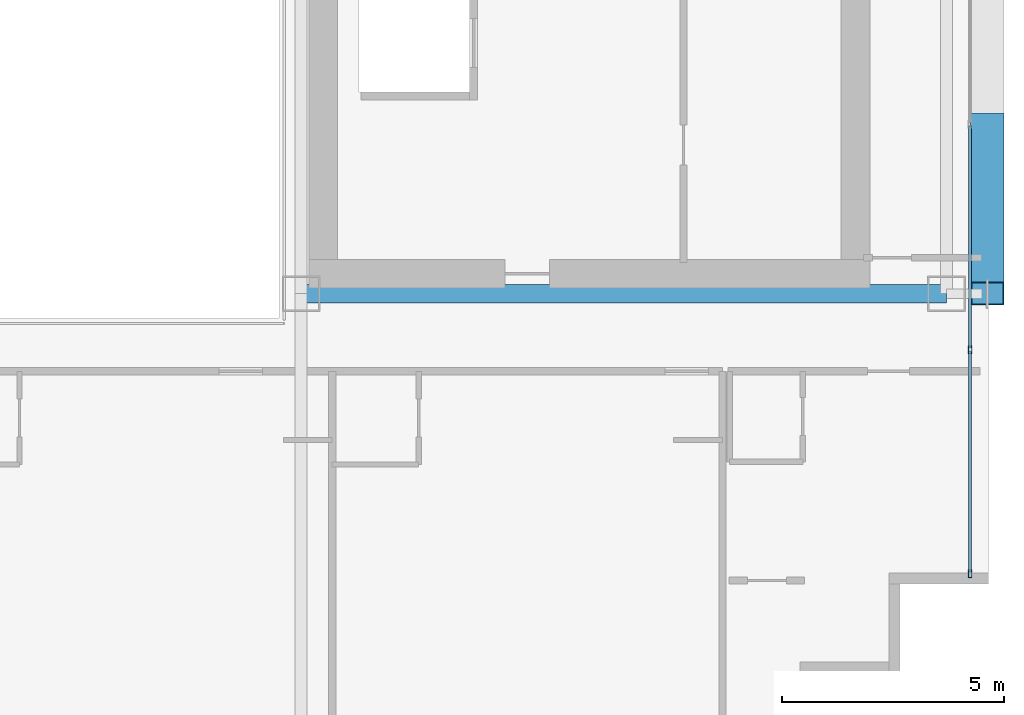
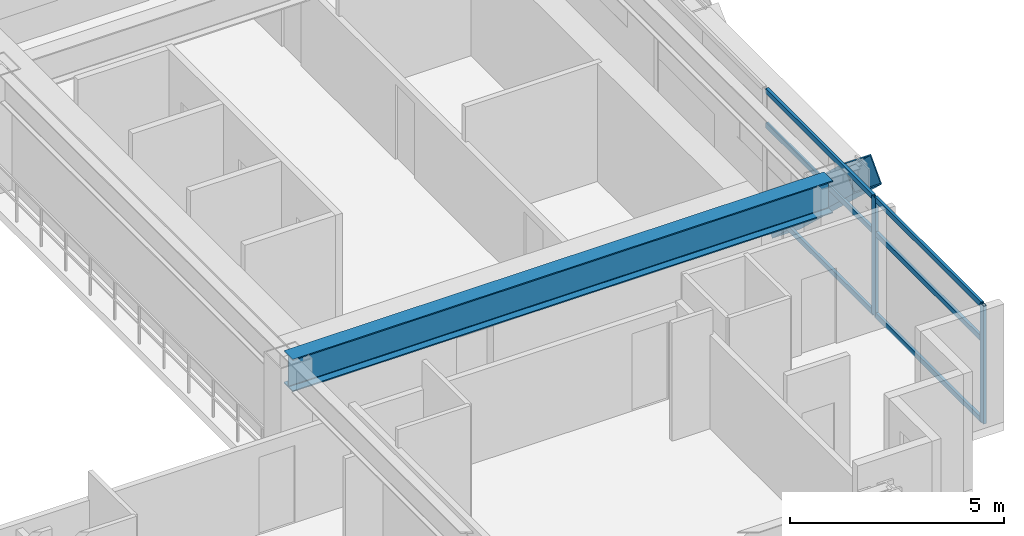
# One storey, part 11 of 35: 9 members, 1 beam, 1 element without a shape of its own.
"""IFC4 building model written with IfcOpenShell, lengths in metres."""

from ifc_helpers import new_model, si_unit, direction, frame, origin, origin_2d, place, context, subcontext, project, spatial, hollow_rectangle, i_section, extrude, source, transform, mapped, material, layer, layer_set, material_profile, profile_set, type_object, element, aggregate, save


model = new_model("IFC4")

# Units and contexts
model_context = context("Model", 3, precision=1e-05, world=origin(), true_north=direction((0.0, 1.0)))
body_context = subcontext(model_context, "Body", "Model", "MODEL_VIEW")
ifc_project = project(units=[si_unit("LENGTHUNIT", "METRE"), si_unit("AREAUNIT", "SQUARE_METRE"), si_unit("VOLUMEUNIT", "CUBIC_METRE"), si_unit("PLANEANGLEUNIT", "RADIAN"), si_unit("MASSUNIT", "GRAM", prefix="KILO")], contexts=[model_context])

# Site, building, storey
site_placement = place(None, origin())
site = spatial("IfcSite", under=ifc_project, at=site_placement, CompositionType="ELEMENT")
building_placement = place(site_placement, origin())
building = spatial("IfcBuilding", under=site, at=building_placement, Name="Ocotamira Hotel", CompositionType="ELEMENT")
storey_placement = place(building_placement, frame((0.0, 0.0, 115.199951171875)))
storey = spatial("IfcBuildingStorey", under=building, at=storey_placement, Name="L28", CompositionType="ELEMENT", Elevation=115.199951171875)

# Beam
ifc_material_1 = material(Name="Steel ASTM A992 Grade 50", Category="steel")
ifc_material_profile_1 = material_profile(ifc_material_1, i_section(OverallWidth=0.41796875, OverallDepth=0.927001953125, WebThickness=0.019287109375, FlangeThickness=0.031982421875, FilletRadius=0.02392578125, at=origin_2d()), Name="W36X231")
ifc_profile_set_1 = profile_set([ifc_material_profile_1], Name="Steel ASTM A992 Grade 50")
beam_type = type_object("IfcBeamType", Name="BM-GIRD-W36X231", PredefinedType="BEAM", material=ifc_profile_set_1)
shared_shape_1 = source(origin(), body_context, "Body", "SweptSolid", [
    extrude(i_section(OverallWidth=0.41796875, OverallDepth=0.927001953125, WebThickness=0.019287109375, FlangeThickness=0.031982421875, FilletRadius=0.02392578125, at=origin_2d()), origin(), (0.0, 0.0, 1.0), 14.550048828125),
])
beam_placement = place(storey_placement, frame((40.5, 14.550048828125, 2.896484375), z_axis=(1.0, 0.0, 0.0), x_axis=(0.0, 1.0, 0.0)))
element("IfcBeam", 1, at=beam_placement, inside=storey, type_object=beam_type, Name="L28 Girder Y14.55 X40.5-55.05", PredefinedType="BEAM", context=body_context, shape_type="MappedRepresentation", body=[
    mapped(shared_shape_1, transform((0.0, 0.0, 0.0), scale=1.0)),
])

# Member
ifc_material_2 = material(Name="Pale-metal coated steel ASTM A913 Grade 65", Category="steel")
ifc_material_profile_2 = material_profile(ifc_material_2, hollow_rectangle(XDim=0.75, YDim=0.75, WallThickness=0.028076171875, at=origin_2d()), Name="BOX750X750X28")
ifc_profile_set_2 = profile_set([ifc_material_profile_2], Name="Pale-metal coated steel ASTM A913 Grade 65")
member_type_1 = type_object("IfcMemberType", Name="MEM-EXO-BOX750", PredefinedType="BRACE", material=ifc_profile_set_2)
shared_shape_2 = source(origin(), body_context, "Body", "SweptSolid", [
    extrude(hollow_rectangle(XDim=0.75, YDim=0.75, WallThickness=0.028076171875, at=origin_2d()), origin(), (0.0, 0.0, 1.0), 5.24658203125),
])
member_1_placement = place(storey_placement, frame((55.969970703125, 18.36669921875, -0.489990234375), z_axis=(0.0, -0.727442733726, 0.686168397078), x_axis=(1.0, 0.0, 0.0)))
element("IfcMember", 2, at=member_1_placement, inside=storey, type_object=member_type_1, Name="L28 Exoskeleton Diagrid E0.1", PredefinedType="BRACE", context=body_context, shape_type="MappedRepresentation", body=[
    mapped(shared_shape_2, transform((0.0, 0.0, 0.0), scale=1.0)),
])

# Curtain wall, members
ifc_material_3 = material(Name="Anodised pale-metal aluminium and solar glass", Category="aluminium")
ifc_layer = layer(ifc_material_3, 0.179931640625)
ifc_layer_set = layer_set([ifc_layer], Name="Anodised pale-metal aluminium and solar glass")
curtain_wall_type = type_object("IfcCurtainWallType", Name="CW-SYS3-Z2", PredefinedType="NOTDEFINED", material=ifc_layer_set)
curtain_wall_placement = place(storey_placement, origin())
curtain_wall = element("IfcCurtainWall", 3, at=curtain_wall_placement, inside=storey, type_object=curtain_wall_type, Name="L28 Curtain Wall CW-3 CW-L28-E", PredefinedType="NOTDEFINED")
ifc_material_4 = material(Name="Anodised pale-metal aluminium 6063-T6", Category="aluminium")
ifc_material_profile_3 = material_profile(ifc_material_4, hollow_rectangle(XDim=0.074951171875, YDim=0.14990234375, WallThickness=0.006103515625, at=origin_2d()), Name="HSS150X75X6")
ifc_profile_set_3 = profile_set([ifc_material_profile_3], Name="Anodised pale-metal aluminium 6063-T6")
member_type_2 = type_object("IfcMemberType", Name="CWT-150X75", PredefinedType="USERDEFINED", material=ifc_profile_set_3)
shared_shape_3 = source(origin(), body_context, "Body", "SweptSolid", [
    extrude(hollow_rectangle(XDim=0.074951171875, YDim=0.14990234375, WallThickness=0.006103515625, at=origin_2d()), origin(), (0.0, 0.0, 1.0), 4.965576171875),
])
member_2_placement = place(storey_placement, frame((55.580078125, 8.280029296875, 0.03759765625), z_axis=(0.0, 1.0, 0.0), x_axis=(-1.0, 0.0, 0.0)))
member_2 = element("IfcMember", 4, at=member_2_placement, type_object=member_type_2, Name="CW-3 transom 1.1", ObjectType="TRANSOM", PredefinedType="USERDEFINED", context=body_context, shape_type="MappedRepresentation", body=[
    mapped(shared_shape_3, transform((0.0, 0.0, 0.0), scale=1.0)),
])
member_3_placement = place(storey_placement, frame((55.580078125, 8.280029296875, 2.35009765625), z_axis=(0.0, 1.0, 0.0), x_axis=(-1.0, 0.0, 0.0)))
member_3 = element("IfcMember", 5, at=member_3_placement, type_object=member_type_2, Name="CW-3 transom 1.2", ObjectType="TRANSOM", PredefinedType="USERDEFINED", context=body_context, shape_type="MappedRepresentation", body=[
    mapped(shared_shape_3, transform((0.0, 0.0, 0.0), scale=1.0)),
])
member_4_placement = place(storey_placement, frame((55.580078125, 8.280029296875, 3.322509765625), z_axis=(0.0, 1.0, 0.0), x_axis=(-1.0, 0.0, 0.0)))
member_4 = element("IfcMember", 6, at=member_4_placement, type_object=member_type_2, Name="CW-3 transom 1.3", ObjectType="TRANSOM", PredefinedType="USERDEFINED", context=body_context, shape_type="MappedRepresentation", body=[
    mapped(shared_shape_3, transform((0.0, 0.0, 0.0), scale=1.0)),
])
shared_shape_4 = source(origin(), body_context, "Body", "SweptSolid", [
    extrude(hollow_rectangle(XDim=0.074951171875, YDim=0.14990234375, WallThickness=0.006103515625, at=origin_2d()), origin(), (0.0, 0.0, 1.0), 5.005859375),
])
member_5_placement = place(storey_placement, frame((55.580078125, 13.32568359375, 0.03759765625), z_axis=(0.0, 1.0, 0.0), x_axis=(-1.0, 0.0, 0.0)))
member_5 = element("IfcMember", 7, at=member_5_placement, type_object=member_type_2, Name="CW-3 transom 2.1", ObjectType="TRANSOM", PredefinedType="USERDEFINED", context=body_context, shape_type="MappedRepresentation", body=[
    mapped(shared_shape_4, transform((0.0, 0.0, 0.0), scale=1.0)),
])
member_6_placement = place(storey_placement, frame((55.580078125, 13.32568359375, 2.35009765625), z_axis=(0.0, 1.0, 0.0), x_axis=(-1.0, 0.0, 0.0)))
member_6 = element("IfcMember", 8, at=member_6_placement, type_object=member_type_2, Name="CW-3 transom 2.2", ObjectType="TRANSOM", PredefinedType="USERDEFINED", context=body_context, shape_type="MappedRepresentation", body=[
    mapped(shared_shape_4, transform((0.0, 0.0, 0.0), scale=1.0)),
])
member_7_placement = place(storey_placement, frame((55.580078125, 13.32568359375, 3.322509765625), z_axis=(0.0, 1.0, 0.0), x_axis=(-1.0, 0.0, 0.0)))
member_7 = element("IfcMember", 9, at=member_7_placement, type_object=member_type_2, Name="CW-3 transom 2.3", ObjectType="TRANSOM", PredefinedType="USERDEFINED", context=body_context, shape_type="MappedRepresentation", body=[
    mapped(shared_shape_4, transform((0.0, 0.0, 0.0), scale=1.0)),
])
ifc_material_profile_4 = material_profile(ifc_material_4, hollow_rectangle(XDim=0.080078125, YDim=0.179931640625, WallThickness=0.006103515625, at=origin_2d()), Name="HSS180X80X6")
ifc_profile_set_4 = profile_set([ifc_material_profile_4], Name="Anodised pale-metal aluminium 6063-T6")
member_type_3 = type_object("IfcMemberType", Name="CWM-180X75", PredefinedType="MULLION", material=ifc_profile_set_4)
shared_shape_5 = source(origin(), body_context, "Body", "SweptSolid", [
    extrude(hollow_rectangle(XDim=0.080078125, YDim=0.179931640625, WallThickness=0.006103515625, at=origin_2d()), origin(), (0.0, 0.0, 1.0), 3.360107421875),
])
member_8_placement = place(storey_placement, frame((55.580078125, 8.239990234375, 0.0), z_axis=(0.0, 0.0, 1.0), x_axis=(-1.0, 0.0, 0.0)))
member_8 = element("IfcMember", 10, at=member_8_placement, type_object=member_type_3, Name="CW-3 mullion 1", PredefinedType="MULLION", context=body_context, shape_type="MappedRepresentation", body=[
    mapped(shared_shape_5, transform((0.0, 0.0, 0.0), scale=1.0)),
])
member_9_placement = place(storey_placement, frame((55.580078125, 13.28564453125, 0.0), z_axis=(0.0, 0.0, 1.0), x_axis=(-1.0, 0.0, 0.0)))
member_9 = element("IfcMember", 11, at=member_9_placement, type_object=member_type_3, Name="CW-3 mullion 2", PredefinedType="MULLION", context=body_context, shape_type="MappedRepresentation", body=[
    mapped(shared_shape_5, transform((0.0, 0.0, 0.0), scale=1.0)),
])
aggregate(curtain_wall, [member_8, member_9, member_2, member_3, member_4, member_5, member_6, member_7])

save(model, "model.ifc")
